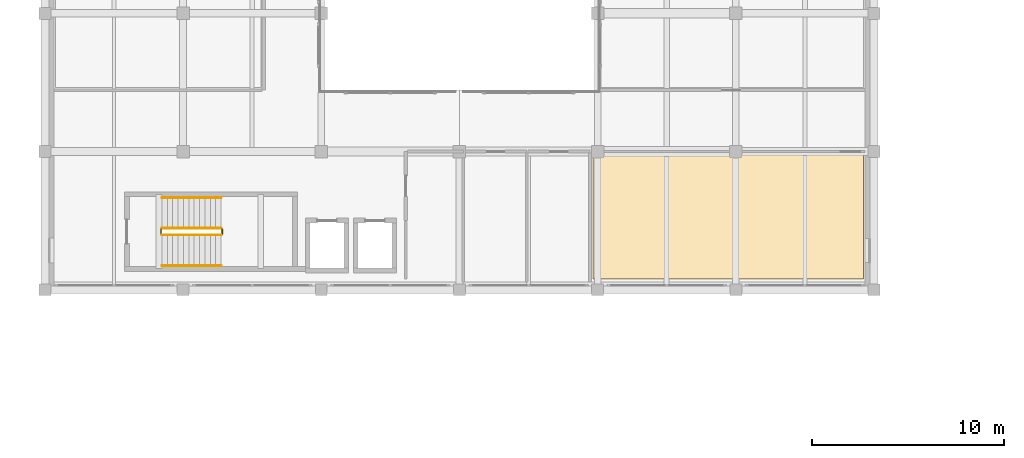
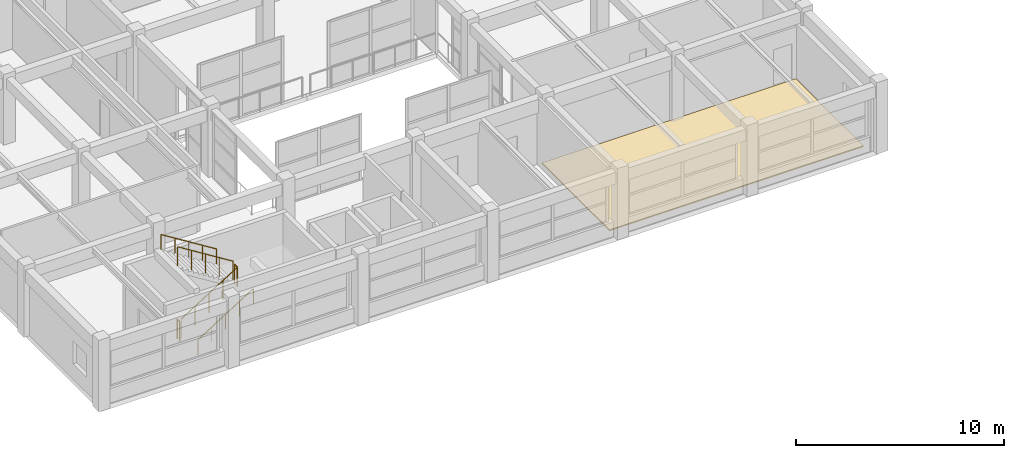
# One storey, part 63 of 67: 6 railings, 1 covering.
"""IFC4 building model written with IfcOpenShell, lengths in metres."""

from ifc_helpers import new_model, si_unit, direction, frame, origin, origin_2d, place, context, subcontext, project, spatial, polyline, circle, outline, extrude, material, layer, layer_set, type_object, element, save


model = new_model("IFC4")

# Units and contexts
model_context = context("Model", 3, precision=1e-05, world=origin(), true_north=direction((0.0, 1.0)))
body_context = subcontext(model_context, "Body", "Model", "MODEL_VIEW")
ifc_project = project(units=[si_unit("LENGTHUNIT", "METRE"), si_unit("AREAUNIT", "SQUARE_METRE"), si_unit("VOLUMEUNIT", "CUBIC_METRE"), si_unit("PLANEANGLEUNIT", "RADIAN"), si_unit("MASSUNIT", "GRAM", prefix="KILO")], contexts=[model_context])

# Site, building, storey
site_placement = place(None, origin())
site = spatial("IfcSite", under=ifc_project, at=site_placement, CompositionType="ELEMENT")
building_placement = place(site_placement, origin())
building = spatial("IfcBuilding", under=site, at=building_placement, Name="Bramveld Media Centre", CompositionType="ELEMENT")
storey_placement = place(building_placement, frame((0.0, 0.0, 5.39990234375)))
storey = spatial("IfcBuildingStorey", under=building, at=storey_placement, Name="L01", CompositionType="ELEMENT", Elevation=5.39990234375)

# Covering
ifc_material_1 = material(Name="Floating acoustic screed with smoked European oak studio flooring")
ifc_layer = layer(ifc_material_1, 0.06494140625)
ifc_layer_set = layer_set([ifc_layer], Name="Floating acoustic screed with smoked European oak studio flooring")
covering_type = type_object("IfcCoveringType", Name="COV-FLOOR-01", PredefinedType="FLOORING", material=ifc_layer_set)
covering_placement = place(storey_placement, origin())
element("IfcCovering", 1, at=covering_placement, inside=storey, type_object=covering_type, Name="Curatorial Reception Lounge finish flooring", PredefinedType="FLOORING", context=body_context, shape_type="SweptSolid", body=[
    extrude(outline(polyline([(94.14990234375, 90.949951171875), (108.25, 90.949951171875), (108.25, 97.449951171875), (94.14990234375, 97.449951171875), (94.14990234375, 90.949951171875)])), origin(), (0.0, 0.0, 1.0), 0.065185546875),
])

# Railings
ifc_material_2 = material(Name="Painted galvanized steel stairwell guardrail", Category="steel")
railing_type_1 = type_object("IfcRailingType", Name="RAIL-STAIR-GUARD-1150", PredefinedType="GUARDRAIL", material=ifc_material_2)
railing_1_placement = place(storey_placement, frame((71.699951171875, 93.25, 0.175048828125)))
element("IfcRailing", 2, at=railing_1_placement, inside=storey, type_object=railing_type_1, Name="L01 ST-07 stair guard 1", PredefinedType="GUARDRAIL", context=body_context, shape_type="SweptSolid", body=[
    extrude(circle(Radius=0.02392578125, at=origin_2d()), frame((0.0, 0.0, 1.1259765625), z_axis=(0.847998304005, 0.0, 0.529998940003), x_axis=(0.0, 1.0, 0.0)), (0.0, 0.0, 1.0), 3.632080078125),
    extrude(circle(Radius=0.02099609375, at=origin_2d()), origin(), (0.0, 0.0, 1.0), 1.101806640625),
    extrude(circle(Radius=0.02099609375, at=origin_2d()), frame((0.77001953125, 0.0, 0.481201171875)), (0.0, 0.0, 1.0), 1.101806640625),
    extrude(circle(Radius=0.02099609375, at=origin_2d()), frame((1.5400390625, 0.0, 0.96240234375)), (0.0, 0.0, 1.0), 1.101806640625),
    extrude(circle(Radius=0.02099609375, at=origin_2d()), frame((2.31005859375, 0.0, 1.44384765625)), (0.0, 0.0, 1.0), 1.101806640625),
    extrude(circle(Radius=0.02099609375, at=origin_2d()), frame((3.080078125, 0.0, 1.925048828125)), (0.0, 0.0, 1.0), 1.101806640625),
])
railing_2_placement = place(storey_placement, frame((74.830078125, 93.300048828125, 2.10009765625)))
element("IfcRailing", 3, at=railing_2_placement, inside=storey, type_object=railing_type_1, Name="L01 ST-07 stair guard 2", PredefinedType="GUARDRAIL", context=body_context, shape_type="SweptSolid", body=[
    extrude(circle(Radius=0.02392578125, at=origin_2d()), frame((0.0, 0.0, 1.1259765625), z_axis=(0.0, 1.0, 0.0), x_axis=(-1.0, 0.0, 0.0)), (0.0, 0.0, 1.0), 0.25),
    extrude(circle(Radius=0.02099609375, at=origin_2d()), origin(), (0.0, 0.0, 1.0), 1.101806640625),
    extrude(circle(Radius=0.02099609375, at=origin_2d()), frame((0.0, 0.25, 0.0)), (0.0, 0.0, 1.0), 1.101806640625),
])
railing_3_placement = place(storey_placement, frame((74.780029296875, 93.60009765625, 2.275146484375)))
element("IfcRailing", 4, at=railing_3_placement, inside=storey, type_object=railing_type_1, Name="L01 ST-07 stair guard 3", PredefinedType="GUARDRAIL", context=body_context, shape_type="SweptSolid", body=[
    extrude(circle(Radius=0.02392578125, at=origin_2d()), frame((0.0, 0.0, 1.1259765625), z_axis=(-0.847998304005, 0.0, 0.529998940003), x_axis=(0.0, -1.0, 0.0)), (0.0, 0.0, 1.0), 3.632080078125),
    extrude(circle(Radius=0.02099609375, at=origin_2d()), origin(), (0.0, 0.0, 1.0), 1.101806640625),
    extrude(circle(Radius=0.02099609375, at=origin_2d()), frame((-0.77001953125, 0.0, 0.481201171875)), (0.0, 0.0, 1.0), 1.101806640625),
    extrude(circle(Radius=0.02099609375, at=origin_2d()), frame((-1.5400390625, 0.0, 0.96240234375)), (0.0, 0.0, 1.0), 1.101806640625),
    extrude(circle(Radius=0.02099609375, at=origin_2d()), frame((-2.31005859375, 0.0, 1.44384765625)), (0.0, 0.0, 1.0), 1.101806640625),
    extrude(circle(Radius=0.02099609375, at=origin_2d()), frame((-3.080078125, 0.0, 1.925048828125)), (0.0, 0.0, 1.0), 1.101806640625),
])
railing_4_placement = place(storey_placement, frame((71.64990234375, 93.300048828125, 0.0)))
element("IfcRailing", 5, at=railing_4_placement, inside=storey, type_object=railing_type_1, Name="L01 ST-07 stair guard 4", PredefinedType="GUARDRAIL", context=body_context, shape_type="SweptSolid", body=[
    extrude(circle(Radius=0.02392578125, at=origin_2d()), frame((0.0, 0.0, 1.1259765625), z_axis=(0.0, 1.0, 0.0), x_axis=(-1.0, 0.0, 0.0)), (0.0, 0.0, 1.0), 0.25),
    extrude(circle(Radius=0.02099609375, at=origin_2d()), origin(), (0.0, 0.0, 1.0), 1.101806640625),
    extrude(circle(Radius=0.02099609375, at=origin_2d()), frame((0.0, 0.25, 0.0)), (0.0, 0.0, 1.0), 1.101806640625),
])
ifc_material_3 = material(Name="Brushed stainless steel tubular stair handrail", Category="steel")
railing_type_2 = type_object("IfcRailingType", Name="RAIL-STAIR-HAND-0920", PredefinedType="HANDRAIL", material=ifc_material_3)
railing_5_placement = place(storey_placement, frame((71.699951171875, 91.64990234375, 0.175048828125)))
element("IfcRailing", 6, at=railing_5_placement, inside=storey, type_object=railing_type_2, Name="L01 ST-07 stair handrail 1", PredefinedType="HANDRAIL", context=body_context, shape_type="SweptSolid", body=[
    extrude(circle(Radius=0.02392578125, at=origin_2d()), frame((0.0, 0.0, 0.8759765625), z_axis=(0.847998304005, 0.0, 0.529998940003), x_axis=(0.0, 1.0, 0.0)), (0.0, 0.0, 1.0), 3.632080078125),
    extrude(circle(Radius=0.02099609375, at=origin_2d()), origin(), (0.0, 0.0, 1.0), 0.851806640625),
    extrude(circle(Radius=0.02099609375, at=origin_2d()), frame((0.77001953125, 0.0, 0.481201171875)), (0.0, 0.0, 1.0), 0.851806640625),
    extrude(circle(Radius=0.02099609375, at=origin_2d()), frame((1.5400390625, 0.0, 0.96240234375)), (0.0, 0.0, 1.0), 0.851806640625),
    extrude(circle(Radius=0.02099609375, at=origin_2d()), frame((2.31005859375, 0.0, 1.44384765625)), (0.0, 0.0, 1.0), 0.851806640625),
    extrude(circle(Radius=0.02099609375, at=origin_2d()), frame((3.080078125, 0.0, 1.925048828125)), (0.0, 0.0, 1.0), 0.851806640625),
])
railing_6_placement = place(storey_placement, frame((74.780029296875, 95.199951171875, 2.275146484375)))
element("IfcRailing", 7, at=railing_6_placement, inside=storey, type_object=railing_type_2, Name="L01 ST-07 stair handrail 2", PredefinedType="HANDRAIL", context=body_context, shape_type="SweptSolid", body=[
    extrude(circle(Radius=0.02392578125, at=origin_2d()), frame((0.0, 0.0, 0.8759765625), z_axis=(-0.847998304005, 0.0, 0.529998940003), x_axis=(0.0, -1.0, 0.0)), (0.0, 0.0, 1.0), 3.632080078125),
    extrude(circle(Radius=0.02099609375, at=origin_2d()), origin(), (0.0, 0.0, 1.0), 0.851806640625),
    extrude(circle(Radius=0.02099609375, at=origin_2d()), frame((-0.77001953125, 0.0, 0.481201171875)), (0.0, 0.0, 1.0), 0.851806640625),
    extrude(circle(Radius=0.02099609375, at=origin_2d()), frame((-1.5400390625, 0.0, 0.96240234375)), (0.0, 0.0, 1.0), 0.851806640625),
    extrude(circle(Radius=0.02099609375, at=origin_2d()), frame((-2.31005859375, 0.0, 1.44384765625)), (0.0, 0.0, 1.0), 0.851806640625),
    extrude(circle(Radius=0.02099609375, at=origin_2d()), frame((-3.080078125, 0.0, 1.925048828125)), (0.0, 0.0, 1.0), 0.851806640625),
])

save(model, "model.ifc")
